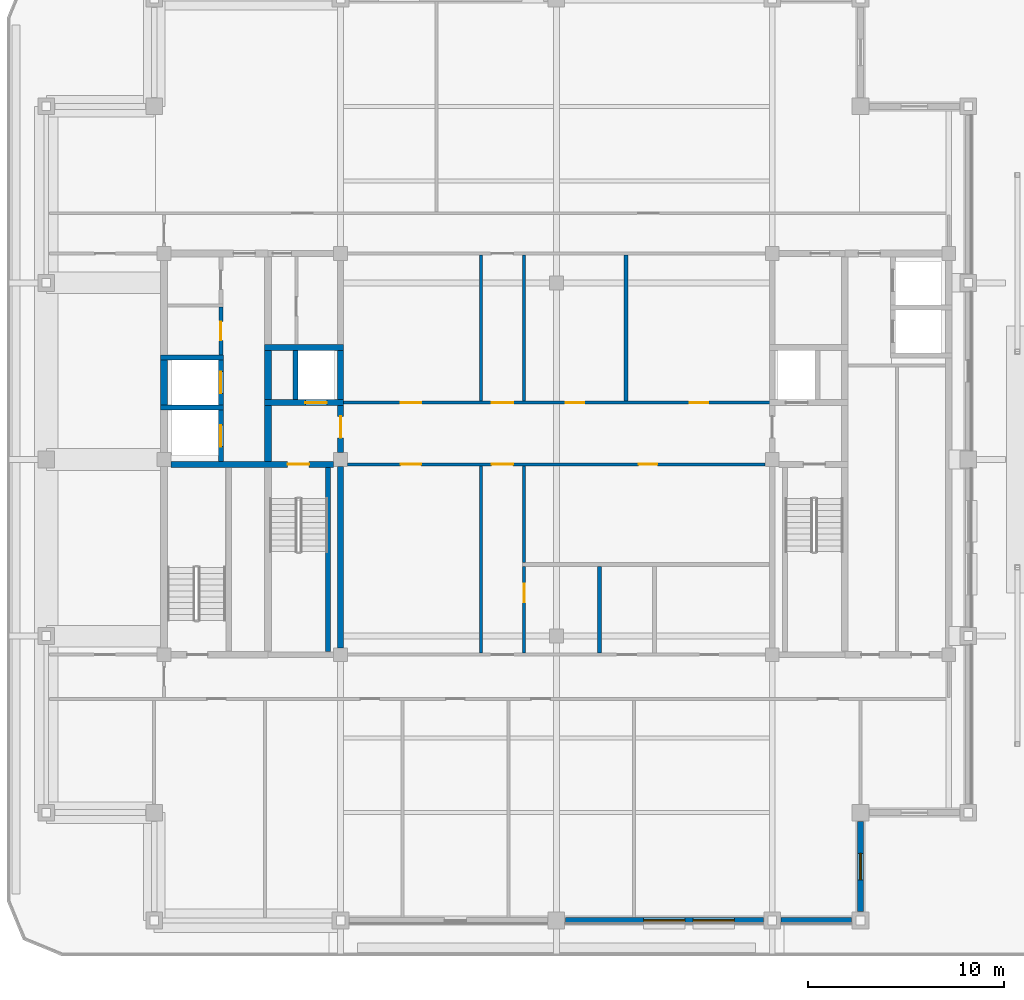
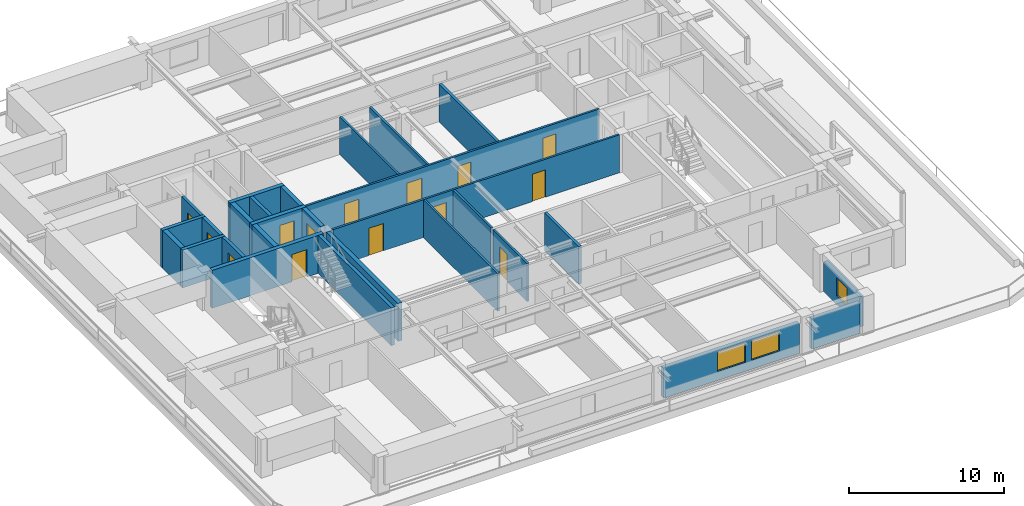
# One storey, part 6 of 14: 28 walls, 14 doors, 3 windows, 17 openings.
"""IFC4 building model written with IfcOpenShell, lengths in metres."""

from ifc_helpers import new_model, si_unit, direction, frame, frame_2d, origin, place, context, subcontext, project, spatial, rectangle, extrude, material, layer, layer_set, type_object, element, fill, save


model = new_model("IFC4")

# Units and contexts
model_context = context("Model", 3, precision=1e-05, world=origin(), true_north=direction((0.0, 1.0)))
body_context = subcontext(model_context, "Body", "Model", "MODEL_VIEW")
ifc_project = project(units=[si_unit("LENGTHUNIT", "METRE"), si_unit("AREAUNIT", "SQUARE_METRE"), si_unit("VOLUMEUNIT", "CUBIC_METRE"), si_unit("PLANEANGLEUNIT", "RADIAN"), si_unit("MASSUNIT", "GRAM", prefix="KILO")], contexts=[model_context])

# Site, building, storey
site_placement = place(None, origin())
site = spatial("IfcSite", under=ifc_project, at=site_placement, CompositionType="ELEMENT")
building_placement = place(site_placement, origin())
building = spatial("IfcBuilding", under=site, at=building_placement, Name="Zulmaris Gate Convention Tower", CompositionType="ELEMENT")
storey_placement = place(building_placement, frame((0.0, 0.0, 254.429931640625)))
storey = spatial("IfcBuildingStorey", under=building, at=storey_placement, Name="L67", CompositionType="ELEMENT", Elevation=254.429931640625)

# Walls
ifc_material_1 = material(Name="Concrete C50/60", Category="concrete")
ifc_layer_1 = layer(ifc_material_1, 0.25, Name="Concrete C50/60")
ifc_layer_set_1 = layer_set([ifc_layer_1], Name="Concrete C50/60")
wall_type_1 = type_object("IfcWallType", Name="CORE-250", PredefinedType="SOLIDWALL", material=ifc_layer_set_1)
for number, where, z_axis, x_axis, name in (
    (1, (-20.175048828125, 2.64990234375, 0.0), (0.0, 0.0, 1.0), (1.0, 0.0, 0.0), "WL-L67-007"),
    (2, (-20.175048828125, 5.199951171875, 0.0), (0.0, 0.0, 1.0), (1.0, 0.0, 0.0), "WL-L67-010"),
):
    element("IfcWall", number, at=place(storey_placement, frame(where, z_axis=z_axis, x_axis=x_axis)), inside=storey, type_object=wall_type_1, Name=name, PredefinedType="SOLIDWALL", context=body_context, shape_type="SweptSolid", body=[
        extrude(rectangle(XDim=3.199951171875, YDim=0.25, at=frame_2d((1.60009765625, 0.0))), origin(), (0.0, 0.0, 1.0), 2.97998046875),
    ])

# Wall, opening, door
wall_1_placement = place(storey_placement, frame((-17.10009765625, -0.097900390625, 0.0), z_axis=(0.0, 0.0, 1.0), x_axis=(0.0, 1.0, 0.0)))
wall_1 = element("IfcWall", 3, at=wall_1_placement, inside=storey, type_object=wall_type_1, Name="WL-L67-034", PredefinedType="SOLIDWALL", context=body_context, shape_type="SweptSolid", body=[
    extrude(rectangle(XDim=2.620849609375, YDim=0.25, at=frame_2d((1.310546875, 0.0))), origin(), (0.0, 0.0, 1.0), 2.97998046875),
])
opening_1_placement = place(wall_1_placement, frame((0.748046875, 0.0, 0.0)))
opening_1 = element("IfcOpeningElement", 4, at=opening_1_placement, cuts=wall_1, Name="Opening D-06", PredefinedType="OPENING", context=body_context, shape_type="SweptSolid", body=[
    extrude(rectangle(XDim=1.10009765625, YDim=2.199951171875, at=frame_2d((0.550048828125, 1.10009765625))), frame((0.0, 0.135009765625, 0.0), z_axis=(0.0, -1.0, 0.0), x_axis=(1.0, 0.0, 0.0)), (0.0, 0.0, 1.0), 0.27001953125),
])
ifc_material_2 = material(Name="Brushed Stainless Steel", Category="steel")
door_type_1 = type_object("IfcDoorType", Name="LD-1100", OperationType="NOTDEFINED", PredefinedType="DOOR", material=ifc_material_2)
door_1_placement = place(opening_1_placement, origin())
door_1 = element("IfcDoor", 5, at=door_1_placement, inside=storey, type_object=door_type_1, Name="L67 Lift Landing Door HP-03 11", OperationType="SLIDING_TO_LEFT", OverallHeight=2.199951171875, OverallWidth=1.10009765625, PredefinedType="DOOR", context=body_context, shape_type="SweptSolid", body=[
    extrude(rectangle(XDim=1.10009765625, YDim=2.199951171875, at=frame_2d((0.550048828125, 1.10009765625))), frame((0.0, 0.02490234375, 0.0), z_axis=(0.0, -1.0, 0.0), x_axis=(1.0, 0.0, 0.0)), (0.0, 0.0, 1.0), 0.050048828125),
])
fill(opening_1, door_1)

wall_2_placement = place(storey_placement, frame((-17.10009765625, 2.777099609375, 0.0), z_axis=(0.0, 0.0, 1.0), x_axis=(0.0, 1.0, 0.0)))
wall_2 = element("IfcWall", 6, at=wall_2_placement, inside=storey, type_object=wall_type_1, Name="WL-L67-035", PredefinedType="SOLIDWALL", context=body_context, shape_type="SweptSolid", body=[
    extrude(rectangle(XDim=2.2958984375, YDim=0.25, at=frame_2d((1.14794921875, 0.0))), origin(), (0.0, 0.0, 1.0), 2.97998046875),
])
opening_2_placement = place(wall_2_placement, frame((0.597900390625, 0.0, 0.0)))
opening_2 = element("IfcOpeningElement", 7, at=opening_2_placement, cuts=wall_2, Name="Opening D-06", PredefinedType="OPENING", context=body_context, shape_type="SweptSolid", body=[
    extrude(rectangle(XDim=1.10009765625, YDim=2.199951171875, at=frame_2d((0.550048828125, 1.10009765625))), frame((0.0, 0.135009765625, 0.0), z_axis=(0.0, -1.0, 0.0), x_axis=(1.0, 0.0, 0.0)), (0.0, 0.0, 1.0), 0.27001953125),
])
door_2_placement = place(opening_2_placement, origin())
door_2 = element("IfcDoor", 8, at=door_2_placement, inside=storey, type_object=door_type_1, Name="L67 Lift Landing Door HP-04 12", OperationType="SLIDING_TO_LEFT", OverallHeight=2.199951171875, OverallWidth=1.10009765625, PredefinedType="DOOR", context=body_context, shape_type="SweptSolid", body=[
    extrude(rectangle(XDim=1.10009765625, YDim=2.199951171875, at=frame_2d((0.550048828125, 1.10009765625))), frame((0.0, 0.02490234375, 0.0), z_axis=(0.0, -1.0, 0.0), x_axis=(1.0, 0.0, 0.0)), (0.0, 0.0, 1.0), 0.050048828125),
])
fill(opening_2, door_2)

# Walls
wall_3_placement = place(storey_placement, frame((-13.300048828125, 3.052001953125, 0.0), z_axis=(0.0, 0.0, 1.0), x_axis=(0.0, 1.0, 0.0)))
element("IfcWall", 9, at=wall_3_placement, inside=storey, type_object=wall_type_1, Name="WL-L67-041", PredefinedType="SOLIDWALL", context=body_context, shape_type="SweptSolid", body=[
    extrude(rectangle(XDim=2.49609375, YDim=0.25, at=frame_2d((1.248046875, 0.0))), origin(), (0.0, 0.0, 1.0), 2.97998046875),
])
wall_4_placement = place(storey_placement, frame((-11.64990234375, -9.798095703125, 0.0), z_axis=(0.0, 0.0, 1.0), x_axis=(0.0, 1.0, 0.0)))
element("IfcWall", 10, at=wall_4_placement, inside=storey, type_object=wall_type_1, Name="WL-L67-042", PredefinedType="SOLIDWALL", context=body_context, shape_type="SweptSolid", body=[
    extrude(rectangle(XDim=9.39599609375, YDim=0.25, at=frame_2d((4.697998046875, 0.0))), origin(), (0.0, 0.0, 1.0), 2.97998046875),
])

# Wall, opening, door
ifc_layer_2 = layer(ifc_material_1, 0.300048828125, Name="Concrete C50/60")
ifc_layer_set_2 = layer_set([ifc_layer_2], Name="Concrete C50/60")
wall_type_2 = type_object("IfcWallType", Name="CORE-300", PredefinedType="SHEAR", material=ifc_layer_set_2)
wall_5_placement = place(storey_placement, frame((-19.64599609375, -0.25, 0.0), z_axis=(0.0, 0.0, 1.0), x_axis=(1.0, 0.0, 0.0)))
wall_5 = element("IfcWall", 11, at=wall_5_placement, inside=storey, type_object=wall_type_2, Name="WL-L67-005", PredefinedType="SHEAR", context=body_context, shape_type="SweptSolid", body=[
    extrude(rectangle(XDim=8.2919921875, YDim=0.300048828125, at=frame_2d((4.14599609375, 0.0))), origin(), (0.0, 0.0, 1.0), 2.97998046875),
])
opening_3_placement = place(wall_5_placement, frame((5.946044921875, 0.0, 0.0)))
opening_3 = element("IfcOpeningElement", 12, at=opening_3_placement, cuts=wall_5, Name="Opening D-08", PredefinedType="OPENING", context=body_context, shape_type="SweptSolid", body=[
    extrude(rectangle(XDim=1.10009765625, YDim=2.14990234375, at=frame_2d((0.550048828125, 1.074951171875))), frame((0.0, 0.16015625, 0.0), z_axis=(0.0, -1.0, 0.0), x_axis=(1.0, 0.0, 0.0)), (0.0, 0.0, 1.0), 0.320068359375),
])
ifc_material_3 = material(Name="Fire-Rated Steel", Category="steel")
door_type_2 = type_object("IfcDoorType", Name="DR-1100-FD", OperationType="NOTDEFINED", PredefinedType="DOOR", material=ifc_material_3)
door_3_placement = place(opening_3_placement, origin())
door_3 = element("IfcDoor", 13, at=door_3_placement, inside=storey, type_object=door_type_2, Name="L67 Exit Stair ST-1 Door 01", OperationType="SINGLE_SWING_RIGHT", OverallHeight=2.14990234375, OverallWidth=1.10009765625, PredefinedType="DOOR", context=body_context, shape_type="SweptSolid", body=[
    extrude(rectangle(XDim=1.10009765625, YDim=2.14990234375, at=frame_2d((0.550048828125, 1.074951171875))), frame((0.0, 0.02490234375, 0.0), z_axis=(0.0, -1.0, 0.0), x_axis=(1.0, 0.0, 0.0)), (0.0, 0.0, 1.0), 0.050048828125),
])
fill(opening_3, door_3)

wall_6_placement = place(storey_placement, frame((-14.875, 2.89990234375, 0.0), z_axis=(0.0, 0.0, 1.0), x_axis=(1.0, 0.0, 0.0)))
wall_6 = element("IfcWall", 14, at=wall_6_placement, inside=storey, type_object=wall_type_2, Name="WL-L67-008", PredefinedType="SHEAR", context=body_context, shape_type="SweptSolid", body=[
    extrude(rectangle(XDim=4.02490234375, YDim=0.300048828125, at=frame_2d((2.012451171875, 0.0))), origin(), (0.0, 0.0, 1.0), 2.97998046875),
])
opening_4_placement = place(wall_6_placement, frame((2.074951171875, 0.0, 0.0)))
opening_4 = element("IfcOpeningElement", 15, at=opening_4_placement, cuts=wall_6, Name="Opening D-06", PredefinedType="OPENING", context=body_context, shape_type="SweptSolid", body=[
    extrude(rectangle(XDim=1.10009765625, YDim=2.199951171875, at=frame_2d((0.550048828125, 1.10009765625))), frame((0.0, 0.16015625, 0.0), z_axis=(0.0, -1.0, 0.0), x_axis=(1.0, 0.0, 0.0)), (0.0, 0.0, 1.0), 0.320068359375),
])
door_4_placement = place(opening_4_placement, origin())
door_4 = element("IfcDoor", 16, at=door_4_placement, inside=storey, type_object=door_type_1, Name="L67 Lift Landing Door LF-01 03", OperationType="SLIDING_TO_LEFT", OverallHeight=2.199951171875, OverallWidth=1.10009765625, PredefinedType="DOOR", context=body_context, shape_type="SweptSolid", body=[
    extrude(rectangle(XDim=1.10009765625, YDim=2.199951171875, at=frame_2d((0.550048828125, 1.10009765625))), frame((0.0, 0.02490234375, 0.0), z_axis=(0.0, -1.0, 0.0), x_axis=(1.0, 0.0, 0.0)), (0.0, 0.0, 1.0), 0.050048828125),
])
fill(opening_4, door_4)

# Walls
wall_7_placement = place(storey_placement, frame((-14.875, 5.699951171875, 0.0), z_axis=(0.0, 0.0, 1.0), x_axis=(1.0, 0.0, 0.0)))
element("IfcWall", 17, at=wall_7_placement, inside=storey, type_object=wall_type_2, Name="WL-L67-012", PredefinedType="SHEAR", context=body_context, shape_type="SweptSolid", body=[
    extrude(rectangle(XDim=4.02490234375, YDim=0.300048828125, at=frame_2d((2.012451171875, 0.0))), origin(), (0.0, 0.0, 1.0), 2.97998046875),
])
wall_8_placement = place(storey_placement, frame((-11.0, -9.595947265625, 0.0), z_axis=(0.0, 0.0, 1.0), x_axis=(0.0, 1.0, 0.0)))
element("IfcWall", 18, at=wall_8_placement, inside=storey, type_object=wall_type_2, Name="WL-L67-043", PredefinedType="SHEAR", context=body_context, shape_type="SweptSolid", body=[
    extrude(rectangle(XDim=9.241943359375, YDim=0.300048828125, at=frame_2d((4.62109375, 0.0))), origin(), (0.0, 0.0, 1.0), 2.97998046875),
])

# Wall, opening, door
wall_9_placement = place(storey_placement, frame((-11.0, 0.35400390625, 0.0), z_axis=(0.0, 0.0, 1.0), x_axis=(0.0, 1.0, 0.0)))
wall_9 = element("IfcWall", 19, at=wall_9_placement, inside=storey, type_object=wall_type_2, Name="WL-L67-044", PredefinedType="SHEAR", context=body_context, shape_type="SweptSolid", body=[
    extrude(rectangle(XDim=2.39404296875, YDim=0.300048828125, at=frame_2d((1.197021484375, 0.0))), origin(), (0.0, 0.0, 1.0), 2.97998046875),
])
opening_5_placement = place(wall_9_placement, frame((0.74609375, 0.0, 0.0)))
opening_5 = element("IfcOpeningElement", 20, at=opening_5_placement, cuts=wall_9, Name="Opening D-08", PredefinedType="OPENING", context=body_context, shape_type="SweptSolid", body=[
    extrude(rectangle(XDim=1.10009765625, YDim=2.14990234375, at=frame_2d((0.550048828125, 1.074951171875))), frame((0.0, 0.16015625, 0.0), z_axis=(0.0, -1.0, 0.0), x_axis=(1.0, 0.0, 0.0)), (0.0, 0.0, 1.0), 0.320068359375),
])
door_5_placement = place(opening_5_placement, origin())
door_5 = element("IfcDoor", 21, at=door_5_placement, inside=storey, type_object=door_type_2, Name="L67 West Firefighting Lobby Door 02", OperationType="SINGLE_SWING_LEFT", OverallHeight=2.14990234375, OverallWidth=1.10009765625, PredefinedType="DOOR", context=body_context, shape_type="SweptSolid", body=[
    extrude(rectangle(XDim=1.10009765625, YDim=2.14990234375, at=frame_2d((0.550048828125, 1.074951171875))), frame((0.0, 0.02490234375, 0.0), z_axis=(0.0, -1.0, 0.0), x_axis=(1.0, 0.0, 0.0)), (0.0, 0.0, 1.0), 0.050048828125),
])
fill(opening_5, door_5)

# Walls
wall_10_placement = place(storey_placement, frame((-11.0, 3.052001953125, 0.0), z_axis=(0.0, 0.0, 1.0), x_axis=(0.0, 1.0, 0.0)))
element("IfcWall", 22, at=wall_10_placement, inside=storey, type_object=wall_type_2, Name="WL-L67-045", PredefinedType="SHEAR", context=body_context, shape_type="SweptSolid", body=[
    extrude(rectangle(XDim=2.49609375, YDim=0.300048828125, at=frame_2d((1.248046875, 0.0))), origin(), (0.0, 0.0, 1.0), 2.97998046875),
])
ifc_material_4 = material(Name="Concrete C55/67", Category="concrete")
ifc_layer_3 = layer(ifc_material_4, 0.35009765625, Name="Concrete C55/67")
ifc_layer_set_3 = layer_set([ifc_layer_3], Name="Concrete C55/67")
wall_type_3 = type_object("IfcWallType", Name="CORE-350", PredefinedType="SHEAR", material=ifc_layer_set_3)
wall_11_placement = place(storey_placement, frame((-20.0, 2.777099609375, 0.0), z_axis=(0.0, 0.0, 1.0), x_axis=(0.0, 1.0, 0.0)))
element("IfcWall", 23, at=wall_11_placement, inside=storey, type_object=wall_type_3, Name="WL-L67-032", PredefinedType="SHEAR", context=body_context, shape_type="SweptSolid", body=[
    extrude(rectangle(XDim=2.2958984375, YDim=0.35009765625, at=frame_2d((1.14794921875, 0.0))), origin(), (0.0, 0.0, 1.0), 2.97998046875),
])
wall_12_placement = place(storey_placement, frame((-14.699951171875, -0.097900390625, 0.0), z_axis=(0.0, 0.0, 1.0), x_axis=(0.0, 1.0, 0.0)))
element("IfcWall", 24, at=wall_12_placement, inside=storey, type_object=wall_type_3, Name="WL-L67-038", PredefinedType="SHEAR", context=body_context, shape_type="SweptSolid", body=[
    extrude(rectangle(XDim=2.845947265625, YDim=0.35009765625, at=frame_2d((1.4228515625, 0.0))), origin(), (0.0, 0.0, 1.0), 2.97998046875),
])
wall_13_placement = place(storey_placement, frame((-14.699951171875, 3.052001953125, 0.0), z_axis=(0.0, 0.0, 1.0), x_axis=(0.0, 1.0, 0.0)))
element("IfcWall", 25, at=wall_13_placement, inside=storey, type_object=wall_type_3, Name="WL-L67-039", PredefinedType="SHEAR", context=body_context, shape_type="SweptSolid", body=[
    extrude(rectangle(XDim=2.49609375, YDim=0.35009765625, at=frame_2d((1.248046875, 0.0))), origin(), (0.0, 0.0, 1.0), 2.97998046875),
])

# Wall, openings, doors
ifc_material_5 = material(Name="Gypsum Metal Stud Partition")
ifc_layer_4 = layer(ifc_material_5, 0.14990234375, Name="Gypsum Metal Stud Partition")
ifc_layer_set_4 = layer_set([ifc_layer_4], Name="Gypsum Metal Stud Partition")
wall_type_4 = type_object("IfcWallType", Name="PART-150", PredefinedType="PARTITIONING", material=ifc_layer_set_4)
wall_14_placement = place(storey_placement, frame((-10.64404296875, -0.25, 0.0), z_axis=(0.0, 0.0, 1.0), x_axis=(1.0, 0.0, 0.0)))
wall_14 = element("IfcWall", 26, at=wall_14_placement, inside=storey, type_object=wall_type_4, Name="WL-L67-023", PredefinedType="PARTITIONING", context=body_context, shape_type="SweptSolid", body=[
    extrude(rectangle(XDim=21.2880859375, YDim=0.14990234375, at=frame_2d((10.64404296875, 0.0))), origin(), (0.0, 0.0, 1.0), 2.97998046875),
])
opening_6_placement = place(wall_14_placement, frame((7.343994140625, 0.0, 0.0)))
opening_6 = element("IfcOpeningElement", 27, at=opening_6_placement, cuts=wall_14, Name="Opening D-08", PredefinedType="OPENING", context=body_context, shape_type="SweptSolid", body=[
    extrude(rectangle(XDim=1.10009765625, YDim=2.14990234375, at=frame_2d((0.550048828125, 1.074951171875))), frame((0.0, 0.0849609375, 0.0), z_axis=(0.0, -1.0, 0.0), x_axis=(1.0, 0.0, 0.0)), (0.0, 0.0, 1.0), 0.169921875),
])
opening_7_placement = place(wall_14_placement, frame((2.698974609375, 0.0, 0.0)))
opening_7 = element("IfcOpeningElement", 28, at=opening_7_placement, cuts=wall_14, Name="Opening D-09", PredefinedType="OPENING", context=body_context, shape_type="SweptSolid", body=[
    extrude(rectangle(XDim=1.050048828125, YDim=2.14990234375, at=frame_2d((0.52490234375, 1.074951171875))), frame((0.0, 0.0849609375, 0.0), z_axis=(0.0, -1.0, 0.0), x_axis=(1.0, 0.0, 0.0)), (0.0, 0.0, 1.0), 0.169921875),
])
opening_8_placement = place(wall_14_placement, frame((14.839111328125, 0.0, 0.0)))
opening_8 = element("IfcOpeningElement", 29, at=opening_8_placement, cuts=wall_14, Name="Opening D-11", PredefinedType="OPENING", context=body_context, shape_type="SweptSolid", body=[
    extrude(rectangle(XDim=0.949951171875, YDim=2.14990234375, at=frame_2d((0.47509765625, 1.074951171875))), frame((0.0, 0.0849609375, 0.0), z_axis=(0.0, -1.0, 0.0), x_axis=(1.0, 0.0, 0.0)), (0.0, 0.0, 1.0), 0.169921875),
])
door_type_3 = type_object("IfcDoorType", Name="DR-1050-FD", OperationType="NOTDEFINED", PredefinedType="DOOR", material=ifc_material_3)
door_6_placement = place(opening_7_placement, origin())
door_6 = element("IfcDoor", 30, at=door_6_placement, inside=storey, type_object=door_type_3, Name="L67 Sky Library Door 35", OperationType="SINGLE_SWING_RIGHT", OverallHeight=2.14990234375, OverallWidth=1.050048828125, PredefinedType="DOOR", context=body_context, shape_type="SweptSolid", body=[
    extrude(rectangle(XDim=1.050048828125, YDim=2.14990234375, at=frame_2d((0.52490234375, 1.074951171875))), frame((0.0, 0.02490234375, 0.0), z_axis=(0.0, -1.0, 0.0), x_axis=(1.0, 0.0, 0.0)), (0.0, 0.0, 1.0), 0.050048828125),
])
fill(opening_7, door_6)
door_7_placement = place(opening_6_placement, origin())
door_7 = element("IfcDoor", 31, at=door_7_placement, inside=storey, type_object=door_type_2, Name="L67 Exec Cross South Door 24", OperationType="SINGLE_SWING_LEFT", OverallHeight=2.14990234375, OverallWidth=1.10009765625, PredefinedType="DOOR", context=body_context, shape_type="SweptSolid", body=[
    extrude(rectangle(XDim=1.10009765625, YDim=2.14990234375, at=frame_2d((0.550048828125, 1.074951171875))), frame((0.0, 0.02490234375, 0.0), z_axis=(0.0, -1.0, 0.0), x_axis=(1.0, 0.0, 0.0)), (0.0, 0.0, 1.0), 0.050048828125),
])
fill(opening_6, door_7)
ifc_material_6 = material(Name="Fire-Rated Timber", Category="wood")
door_type_4 = type_object("IfcDoorType", Name="DR-950-FD", OperationType="NOTDEFINED", PredefinedType="DOOR", material=ifc_material_6)
door_8_placement = place(opening_8_placement, origin())
door_8 = element("IfcDoor", 32, at=door_8_placement, inside=storey, type_object=door_type_4, Name="L67 Public WC Door 36", OperationType="SINGLE_SWING_LEFT", OverallHeight=2.14990234375, OverallWidth=0.949951171875, PredefinedType="DOOR", context=body_context, shape_type="SweptSolid", body=[
    extrude(rectangle(XDim=0.949951171875, YDim=2.14990234375, at=frame_2d((0.47509765625, 1.074951171875))), frame((0.0, 0.02490234375, 0.0), z_axis=(0.0, -1.0, 0.0), x_axis=(1.0, 0.0, 0.0)), (0.0, 0.0, 1.0), 0.050048828125),
])
fill(opening_8, door_8)

wall_15_placement = place(storey_placement, frame((-11.0, 2.89990234375, 0.0), z_axis=(0.0, 0.0, 1.0), x_axis=(1.0, 0.0, 0.0)))
wall_15 = element("IfcWall", 33, at=wall_15_placement, inside=storey, type_object=wall_type_4, Name="WL-L67-024", PredefinedType="PARTITIONING", context=body_context, shape_type="SweptSolid", body=[
    extrude(rectangle(XDim=22.0, YDim=0.14990234375, at=frame_2d((11.0, 0.0))), origin(), (0.0, 0.0, 1.0), 2.97998046875),
])
opening_9_placement = place(wall_15_placement, frame((7.699951171875, 0.0, 0.0)))
opening_9 = element("IfcOpeningElement", 34, at=opening_9_placement, cuts=wall_15, Name="Opening D-08", PredefinedType="OPENING", context=body_context, shape_type="SweptSolid", body=[
    extrude(rectangle(XDim=1.10009765625, YDim=2.14990234375, at=frame_2d((0.550048828125, 1.074951171875))), frame((0.0, 0.0849609375, 0.0), z_axis=(0.0, -1.0, 0.0), x_axis=(1.0, 0.0, 0.0)), (0.0, 0.0, 1.0), 0.169921875),
])
opening_10_placement = place(wall_15_placement, frame((3.054931640625, 0.0, 0.0)))
opening_10 = element("IfcOpeningElement", 35, at=opening_10_placement, cuts=wall_15, Name="Opening D-09", PredefinedType="OPENING", context=body_context, shape_type="SweptSolid", body=[
    extrude(rectangle(XDim=1.050048828125, YDim=2.14990234375, at=frame_2d((0.52490234375, 1.074951171875))), frame((0.0, 0.0849609375, 0.0), z_axis=(0.0, -1.0, 0.0), x_axis=(1.0, 0.0, 0.0)), (0.0, 0.0, 1.0), 0.169921875),
])
opening_11_placement = place(wall_15_placement, frame((11.47509765625, 0.0, 0.0)))
opening_11 = element("IfcOpeningElement", 36, at=opening_11_placement, cuts=wall_15, Name="Opening D-11", PredefinedType="OPENING", context=body_context, shape_type="SweptSolid", body=[
    extrude(rectangle(XDim=0.949951171875, YDim=2.14990234375, at=frame_2d((0.47509765625, 1.074951171875))), frame((0.0, 0.0849609375, 0.0), z_axis=(0.0, -1.0, 0.0), x_axis=(1.0, 0.0, 0.0)), (0.0, 0.0, 1.0), 0.169921875),
])
opening_12_placement = place(wall_15_placement, frame((17.794921875, 0.0, 0.0)))
opening_12 = element("IfcOpeningElement", 37, at=opening_12_placement, cuts=wall_15, Name="Opening D-11", PredefinedType="OPENING", context=body_context, shape_type="SweptSolid", body=[
    extrude(rectangle(XDim=0.949951171875, YDim=2.14990234375, at=frame_2d((0.47509765625, 1.074951171875))), frame((0.0, 0.0849609375, 0.0), z_axis=(0.0, -1.0, 0.0), x_axis=(1.0, 0.0, 0.0)), (0.0, 0.0, 1.0), 0.169921875),
])
door_9_placement = place(opening_10_placement, origin())
door_9 = element("IfcDoor", 38, at=door_9_placement, inside=storey, type_object=door_type_3, Name="L67 Reception Door 32", OperationType="SINGLE_SWING_LEFT", OverallHeight=2.14990234375, OverallWidth=1.050048828125, PredefinedType="DOOR", context=body_context, shape_type="SweptSolid", body=[
    extrude(rectangle(XDim=1.050048828125, YDim=2.14990234375, at=frame_2d((0.52490234375, 1.074951171875))), frame((0.0, 0.02490234375, 0.0), z_axis=(0.0, -1.0, 0.0), x_axis=(1.0, 0.0, 0.0)), (0.0, 0.0, 1.0), 0.050048828125),
])
fill(opening_10, door_9)
door_10_placement = place(opening_9_placement, origin())
door_10 = element("IfcDoor", 39, at=door_10_placement, inside=storey, type_object=door_type_2, Name="L67 Exec Cross North Door 23", OperationType="SINGLE_SWING_RIGHT", OverallHeight=2.14990234375, OverallWidth=1.10009765625, PredefinedType="DOOR", context=body_context, shape_type="SweptSolid", body=[
    extrude(rectangle(XDim=1.10009765625, YDim=2.14990234375, at=frame_2d((0.550048828125, 1.074951171875))), frame((0.0, 0.02490234375, 0.0), z_axis=(0.0, -1.0, 0.0), x_axis=(1.0, 0.0, 0.0)), (0.0, 0.0, 1.0), 0.050048828125),
])
fill(opening_9, door_10)
door_11_placement = place(opening_11_placement, origin())
door_11 = element("IfcDoor", 40, at=door_11_placement, inside=storey, type_object=door_type_4, Name="L67 Briefing Door 33", OperationType="SINGLE_SWING_RIGHT", OverallHeight=2.14990234375, OverallWidth=0.949951171875, PredefinedType="DOOR", context=body_context, shape_type="SweptSolid", body=[
    extrude(rectangle(XDim=0.949951171875, YDim=2.14990234375, at=frame_2d((0.47509765625, 1.074951171875))), frame((0.0, 0.02490234375, 0.0), z_axis=(0.0, -1.0, 0.0), x_axis=(1.0, 0.0, 0.0)), (0.0, 0.0, 1.0), 0.050048828125),
])
fill(opening_11, door_11)
door_12_placement = place(opening_12_placement, origin())
door_12 = element("IfcDoor", 41, at=door_12_placement, inside=storey, type_object=door_type_4, Name="L67 Dining Pantry Door 34", OperationType="SINGLE_SWING_LEFT", OverallHeight=2.14990234375, OverallWidth=0.949951171875, PredefinedType="DOOR", context=body_context, shape_type="SweptSolid", body=[
    extrude(rectangle(XDim=0.949951171875, YDim=2.14990234375, at=frame_2d((0.47509765625, 1.074951171875))), frame((0.0, 0.02490234375, 0.0), z_axis=(0.0, -1.0, 0.0), x_axis=(1.0, 0.0, 0.0)), (0.0, 0.0, 1.0), 0.050048828125),
])
fill(opening_12, door_12)

# Walls
wall_16_placement = place(storey_placement, frame((-3.85009765625, -9.8720703125, 0.0), z_axis=(0.0, 0.0, 1.0), x_axis=(0.0, 1.0, 0.0)))
element("IfcWall", 42, at=wall_16_placement, inside=storey, type_object=wall_type_4, Name="WL-L67-071", PredefinedType="PARTITIONING", context=body_context, shape_type="SweptSolid", body=[
    extrude(rectangle(XDim=9.544189453125, YDim=0.14990234375, at=frame_2d((4.77197265625, 0.0))), origin(), (0.0, 0.0, 1.0), 2.97998046875),
])
wall_17_placement = place(storey_placement, frame((-3.85009765625, 2.97802734375, 0.0), z_axis=(0.0, 0.0, 1.0), x_axis=(0.0, 1.0, 0.0)))
element("IfcWall", 43, at=wall_17_placement, inside=storey, type_object=wall_type_4, Name="WL-L67-072", PredefinedType="PARTITIONING", context=body_context, shape_type="SweptSolid", body=[
    extrude(rectangle(XDim=7.444091796875, YDim=0.14990234375, at=frame_2d((3.72216796875, 0.0))), origin(), (0.0, 0.0, 1.0), 2.97998046875),
])

# Wall, opening, door
wall_18_placement = place(storey_placement, frame((-1.64990234375, -9.8720703125, 0.0), z_axis=(0.0, 0.0, 1.0), x_axis=(0.0, 1.0, 0.0)))
wall_18 = element("IfcWall", 44, at=wall_18_placement, inside=storey, type_object=wall_type_4, Name="WL-L67-074", PredefinedType="PARTITIONING", context=body_context, shape_type="SweptSolid", body=[
    extrude(rectangle(XDim=4.419189453125, YDim=0.14990234375, at=frame_2d((2.20947265625, 0.0))), origin(), (0.0, 0.0, 1.0), 2.97998046875),
])
opening_13_placement = place(wall_18_placement, frame((2.596923828125, 0.0, 0.0)))
opening_13 = element("IfcOpeningElement", 45, at=opening_13_placement, cuts=wall_18, Name="Opening D-11", PredefinedType="OPENING", context=body_context, shape_type="SweptSolid", body=[
    extrude(rectangle(XDim=0.949951171875, YDim=2.14990234375, at=frame_2d((0.47509765625, 1.074951171875))), frame((0.0, 0.0849609375, 0.0), z_axis=(0.0, -1.0, 0.0), x_axis=(1.0, 0.0, 0.0)), (0.0, 0.0, 1.0), 0.169921875),
])
door_13_placement = place(opening_13_placement, origin())
door_13 = element("IfcDoor", 46, at=door_13_placement, inside=storey, type_object=door_type_4, Name="L67 Hygiene Supply Door 37", OperationType="SINGLE_SWING_RIGHT", OverallHeight=2.14990234375, OverallWidth=0.949951171875, PredefinedType="DOOR", context=body_context, shape_type="SweptSolid", body=[
    extrude(rectangle(XDim=0.949951171875, YDim=2.14990234375, at=frame_2d((0.47509765625, 1.074951171875))), frame((0.0, 0.02490234375, 0.0), z_axis=(0.0, -1.0, 0.0), x_axis=(1.0, 0.0, 0.0)), (0.0, 0.0, 1.0), 0.050048828125),
])
fill(opening_13, door_13)

# Walls
wall_19_placement = place(storey_placement, frame((-1.64990234375, -5.2470703125, 0.0), z_axis=(0.0, 0.0, 1.0), x_axis=(0.0, 1.0, 0.0)))
element("IfcWall", 47, at=wall_19_placement, inside=storey, type_object=wall_type_4, Name="WL-L67-075", PredefinedType="PARTITIONING", context=body_context, shape_type="SweptSolid", body=[
    extrude(rectangle(XDim=4.919189453125, YDim=0.14990234375, at=frame_2d((2.45947265625, 0.0))), origin(), (0.0, 0.0, 1.0), 2.97998046875),
])
wall_20_placement = place(storey_placement, frame((-1.64990234375, 2.97802734375, 0.0), z_axis=(0.0, 0.0, 1.0), x_axis=(0.0, 1.0, 0.0)))
element("IfcWall", 48, at=wall_20_placement, inside=storey, type_object=wall_type_4, Name="WL-L67-076", PredefinedType="PARTITIONING", context=body_context, shape_type="SweptSolid", body=[
    extrude(rectangle(XDim=7.444091796875, YDim=0.14990234375, at=frame_2d((3.72216796875, 0.0))), origin(), (0.0, 0.0, 1.0), 2.97998046875),
])

# Wall, opening, door
ifc_material_7 = material(Name="Autoclaved Aerated Concrete Block and Plasterboard", Category="concrete")
ifc_layer_5 = layer(ifc_material_7, 0.199951171875, Name="Autoclaved Aerated Concrete Block and Plasterboard")
ifc_layer_set_5 = layer_set([ifc_layer_5], Name="Autoclaved Aerated Concrete Block and Plasterboard")
wall_type_5 = type_object("IfcWallType", Name="PART-200", PredefinedType="PARTITIONING", material=ifc_layer_set_5)
wall_21_placement = place(storey_placement, frame((-17.10009765625, 5.327880859375, 0.0), z_axis=(0.0, 0.0, 1.0), x_axis=(0.0, 1.0, 0.0)))
wall_21 = element("IfcWall", 49, at=wall_21_placement, inside=storey, type_object=wall_type_5, Name="WL-L67-065", PredefinedType="PARTITIONING", context=body_context, shape_type="SweptSolid", body=[
    extrude(rectangle(XDim=2.444091796875, YDim=0.199951171875, at=frame_2d((1.22216796875, 0.0))), origin(), (0.0, 0.0, 1.0), 2.97998046875),
])
opening_14_placement = place(wall_21_placement, frame((0.7470703125, 0.0, 0.0)))
opening_14 = element("IfcOpeningElement", 50, at=opening_14_placement, cuts=wall_21, Name="Opening D-11", PredefinedType="OPENING", context=body_context, shape_type="SweptSolid", body=[
    extrude(rectangle(XDim=0.949951171875, YDim=2.14990234375, at=frame_2d((0.47509765625, 1.074951171875))), frame((0.0, 0.10986328125, 0.0), z_axis=(0.0, -1.0, 0.0), x_axis=(1.0, 0.0, 0.0)), (0.0, 0.0, 1.0), 0.219970703125),
])
door_14_placement = place(opening_14_placement, origin())
door_14 = element("IfcDoor", 51, at=door_14_placement, inside=storey, type_object=door_type_4, Name="L67 Valet Closet Door 15", OperationType="SINGLE_SWING_RIGHT", OverallHeight=2.14990234375, OverallWidth=0.949951171875, PredefinedType="DOOR", context=body_context, shape_type="SweptSolid", body=[
    extrude(rectangle(XDim=0.949951171875, YDim=2.14990234375, at=frame_2d((0.47509765625, 1.074951171875))), frame((0.0, 0.02490234375, 0.0), z_axis=(0.0, -1.0, 0.0), x_axis=(1.0, 0.0, 0.0)), (0.0, 0.0, 1.0), 0.050048828125),
])
fill(opening_14, door_14)

# Walls
wall_22_placement = place(storey_placement, frame((2.199951171875, -9.8720703125, 0.0), z_axis=(0.0, 0.0, 1.0), x_axis=(0.0, 1.0, 0.0)))
element("IfcWall", 52, at=wall_22_placement, inside=storey, type_object=wall_type_5, Name="WL-L67-077", PredefinedType="PARTITIONING", context=body_context, shape_type="SweptSolid", body=[
    extrude(rectangle(XDim=4.419189453125, YDim=0.199951171875, at=frame_2d((2.20947265625, 0.0))), origin(), (0.0, 0.0, 1.0), 2.97998046875),
])
wall_23_placement = place(storey_placement, frame((3.5400390625, 2.97802734375, 0.0), z_axis=(0.0, 0.0, 1.0), x_axis=(0.0, 1.0, 0.0)))
element("IfcWall", 53, at=wall_23_placement, inside=storey, type_object=wall_type_5, Name="WL-L67-078", PredefinedType="PARTITIONING", context=body_context, shape_type="SweptSolid", body=[
    extrude(rectangle(XDim=7.444091796875, YDim=0.199951171875, at=frame_2d((3.72216796875, 0.0))), origin(), (0.0, 0.0, 1.0), 2.97998046875),
])

# Wall, opening, window
ifc_material_8 = material(Name="Precast concrete C40/50", Category="concrete")
ifc_layer_6 = layer(ifc_material_8, 0.300048828125, Name="Precast concrete C40/50")
ifc_layer_set_6 = layer_set([ifc_layer_6], Name="Precast concrete C40/50")
wall_type_6 = type_object("IfcWallType", Name="PRECAST-PIER-300", PredefinedType="STANDARD", material=ifc_layer_set_6)
wall_24_placement = place(storey_placement, frame((15.5, -23.044921875, 0.0), z_axis=(0.0, 0.0, 1.0), x_axis=(0.0, 1.0, 0.0)))
wall_24 = element("IfcWall", 54, at=wall_24_placement, inside=storey, type_object=wall_type_6, Name="EW-L67-NOTCH-SE1_0", PredefinedType="STANDARD", context=body_context, shape_type="SweptSolid", body=[
    extrude(rectangle(XDim=4.58984375, YDim=0.300048828125, at=frame_2d((2.294921875, 0.0))), origin(), (0.0, 0.0, 1.0), 2.3720703125),
])
opening_15_placement = place(wall_24_placement, frame((1.6201171875, 0.0, 0.679931640625)))
opening_15 = element("IfcOpeningElement", 55, at=opening_15_placement, cuts=wall_24, Name="Opening W-10", PredefinedType="OPENING", context=body_context, shape_type="SweptSolid", body=[
    extrude(rectangle(XDim=1.35009765625, YDim=1.419921875, at=frame_2d((0.675048828125, 0.7099609375))), frame((0.0, 0.16015625, 0.0), z_axis=(0.0, -1.0, 0.0), x_axis=(1.0, 0.0, 0.0)), (0.0, 0.0, 1.0), 0.320068359375),
])
ifc_material_9 = material(Name="Low-E Laminated Double Glazing in Aluminium Frame", Category="aluminium")
window_type_1 = type_object("IfcWindowType", Name="WIN-1350x2000", PartitioningType="SINGLE_PANEL", PredefinedType="WINDOW", material=ifc_material_9)
window_1_placement = place(opening_15_placement, origin())
window_1 = element("IfcWindow", 56, at=window_1_placement, inside=storey, type_object=window_type_1, Name="WN-EW-L67-NOTCH-SE1_0", OverallHeight=1.419921875, OverallWidth=1.35009765625, PartitioningType="SINGLE_PANEL", PredefinedType="WINDOW", context=body_context, shape_type="SweptSolid", body=[
    extrude(rectangle(XDim=1.35009765625, YDim=1.419921875, at=frame_2d((0.675048828125, 0.7099609375))), frame((0.0, 0.030029296875, 0.0), z_axis=(0.0, -1.0, 0.0), x_axis=(1.0, 0.0, 0.0)), (0.0, 0.0, 1.0), 0.06005859375),
])
fill(opening_15, window_1)

# Wall, openings, windows
wall_25_placement = place(storey_placement, frame((0.455078125, -23.5, 0.0), z_axis=(0.0, 0.0, 1.0), x_axis=(1.0, 0.0, 0.0)))
wall_25 = element("IfcWall", 57, at=wall_25_placement, inside=storey, type_object=wall_type_6, Name="EW-L67-S-2_0", PredefinedType="STANDARD", context=body_context, shape_type="SweptSolid", body=[
    extrude(rectangle(XDim=10.08984375, YDim=0.300048828125, at=frame_2d((5.044921875, 0.0))), origin(), (0.0, 0.0, 1.0), 2.3720703125),
])
opening_16_placement = place(wall_25_placement, frame((3.9951171875, 0.0, 0.699951171875)))
opening_16 = element("IfcOpeningElement", 58, at=opening_16_placement, cuts=wall_25, Name="Opening W-05", PredefinedType="OPENING", context=body_context, shape_type="SweptSolid", body=[
    extrude(rectangle(XDim=2.10009765625, YDim=1.5, at=frame_2d((1.050048828125, 0.75))), frame((0.0, 0.16015625, 0.0), z_axis=(0.0, -1.0, 0.0), x_axis=(1.0, 0.0, 0.0)), (0.0, 0.0, 1.0), 0.320068359375),
])
opening_17_placement = place(wall_25_placement, frame((6.51806640625, 0.0, 0.699951171875)))
opening_17 = element("IfcOpeningElement", 59, at=opening_17_placement, cuts=wall_25, Name="Opening W-05", PredefinedType="OPENING", context=body_context, shape_type="SweptSolid", body=[
    extrude(rectangle(XDim=2.10009765625, YDim=1.5, at=frame_2d((1.050048828125, 0.75))), frame((0.0, 0.16015625, 0.0), z_axis=(0.0, -1.0, 0.0), x_axis=(1.0, 0.0, 0.0)), (0.0, 0.0, 1.0), 0.320068359375),
])
window_type_2 = type_object("IfcWindowType", Name="WIN-2100x2400", PartitioningType="SINGLE_PANEL", PredefinedType="WINDOW", material=ifc_material_9)
window_2_placement = place(opening_16_placement, origin())
window_2 = element("IfcWindow", 60, at=window_2_placement, inside=storey, type_object=window_type_2, Name="WN-EW-L67-S-2_0-2", OverallHeight=1.5, OverallWidth=2.10009765625, PartitioningType="SINGLE_PANEL", PredefinedType="WINDOW", context=body_context, shape_type="SweptSolid", body=[
    extrude(rectangle(XDim=2.10009765625, YDim=1.5, at=frame_2d((1.050048828125, 0.75))), frame((0.0, 0.030029296875, 0.0), z_axis=(0.0, -1.0, 0.0), x_axis=(1.0, 0.0, 0.0)), (0.0, 0.0, 1.0), 0.06005859375),
])
fill(opening_16, window_2)
window_3_placement = place(opening_17_placement, origin())
window_3 = element("IfcWindow", 61, at=window_3_placement, inside=storey, type_object=window_type_2, Name="WN-EW-L67-S-2_0-3", OverallHeight=1.5, OverallWidth=2.10009765625, PartitioningType="SINGLE_PANEL", PredefinedType="WINDOW", context=body_context, shape_type="SweptSolid", body=[
    extrude(rectangle(XDim=2.10009765625, YDim=1.5, at=frame_2d((1.050048828125, 0.75))), frame((0.0, 0.030029296875, 0.0), z_axis=(0.0, -1.0, 0.0), x_axis=(1.0, 0.0, 0.0)), (0.0, 0.0, 1.0), 0.06005859375),
])
fill(opening_17, window_3)

# Wall
wall_26_placement = place(storey_placement, frame((11.455078125, -23.5, 0.0), z_axis=(0.0, 0.0, 1.0), x_axis=(1.0, 0.0, 0.0)))
element("IfcWall", 62, at=wall_26_placement, inside=storey, type_object=wall_type_6, Name="EW-L67-S-3_0", PredefinedType="STANDARD", context=body_context, shape_type="SweptSolid", body=[
    extrude(rectangle(XDim=3.58984375, YDim=0.300048828125, at=frame_2d((1.794921875, 0.0))), origin(), (0.0, 0.0, 1.0), 2.3720703125),
])

save(model, "model.ifc")
